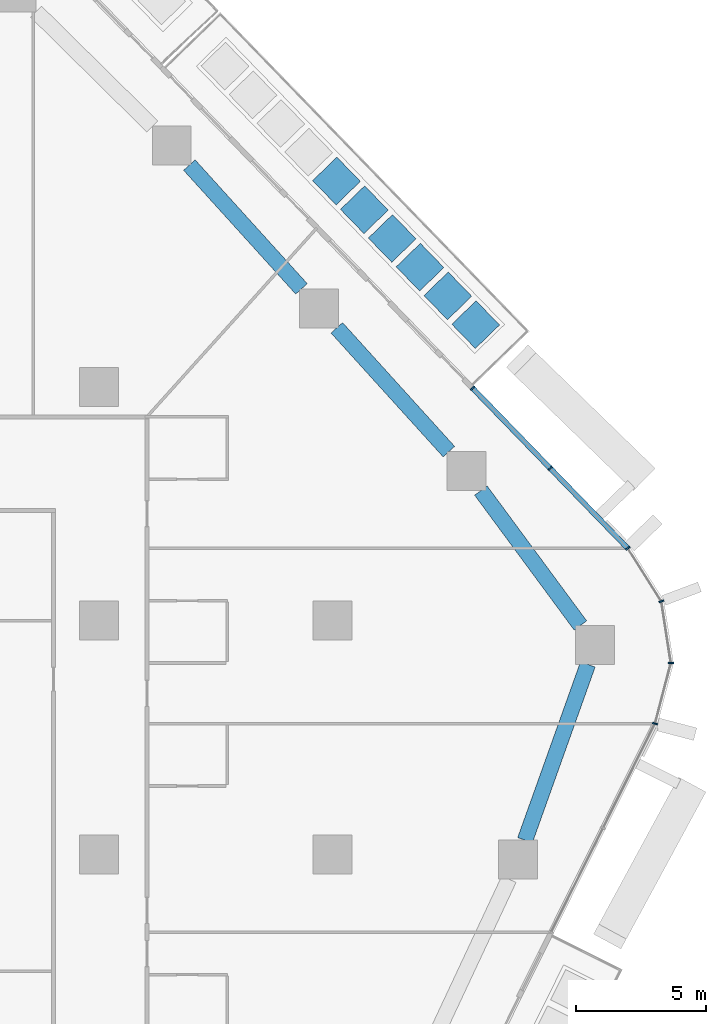
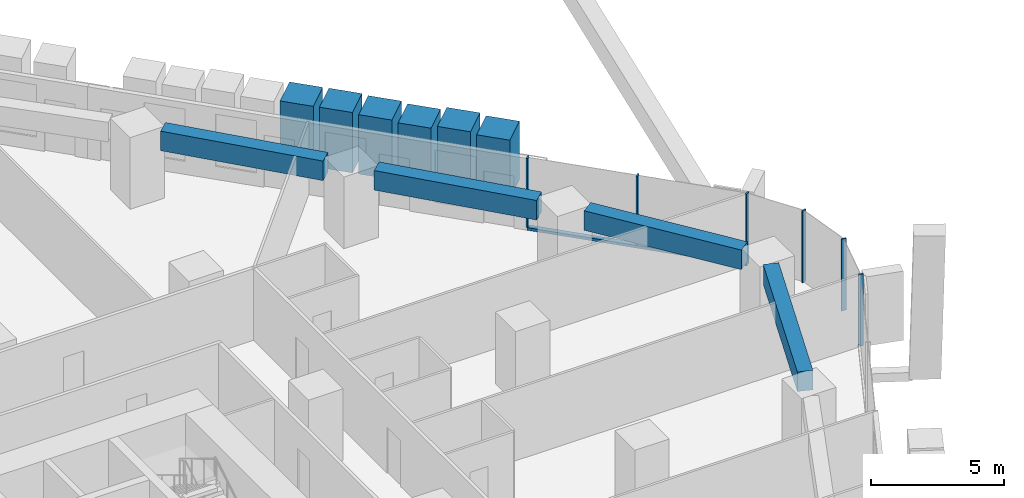
# One storey, part 8 of 27: 13 members, 4 beams, 2 elements without a shape of their own.
"""IFC4 building model written with IfcOpenShell, lengths in metres."""

from ifc_helpers import new_model, si_unit, direction, frame, origin, origin_2d, place, context, subcontext, project, spatial, rectangle, extrude, material, layer, layer_set, material_profile, profile_set, type_object, element, aggregate, save


model = new_model("IFC4")

# Units and contexts
model_context = context("Model", 3, precision=1e-05, world=origin(), true_north=direction((0.0, 1.0)))
body_context = subcontext(model_context, "Body", "Model", "MODEL_VIEW")
ifc_project = project(units=[si_unit("LENGTHUNIT", "METRE"), si_unit("AREAUNIT", "SQUARE_METRE"), si_unit("VOLUMEUNIT", "CUBIC_METRE"), si_unit("PLANEANGLEUNIT", "RADIAN"), si_unit("MASSUNIT", "GRAM", prefix="KILO")], contexts=[model_context])

# Site, building, storey
site_placement = place(None, origin())
site = spatial("IfcSite", under=ifc_project, at=site_placement, CompositionType="ELEMENT")
building_placement = place(site_placement, origin())
building = spatial("IfcBuilding", under=site, at=building_placement, Name="Dongbaek Canopy Tower", CompositionType="ELEMENT")
storey_placement = place(building_placement, frame((0.0, 0.0, 62.5)))
storey = spatial("IfcBuildingStorey", under=building, at=storey_placement, Name="L11", CompositionType="ELEMENT", Elevation=62.5)

# Curtain wall, members
ifc_material_1 = material(Name="Aluminium 6063-T6 pale anodised", Category="aluminium")
ifc_layer = layer(ifc_material_1, 0.199951171875)
ifc_layer_set = layer_set([ifc_layer], Name="CW-1 unitised tower curtain wall")
curtain_wall_type = type_object("IfcCurtainWallType", Name="CW-1 unitised tower curtain wall", PredefinedType="NOTDEFINED", material=ifc_layer_set)
curtain_wall_1_placement = place(storey_placement, origin())
curtain_wall_1 = element("IfcCurtainWall", 1, at=curtain_wall_1_placement, inside=storey, type_object=curtain_wall_type, Name="CW-1 curtain wall K0.1", PredefinedType="NOTDEFINED")
ifc_material_2 = material(Name="Aluminium 6063-T6 pale anodised", Category="aluminium")
ifc_material_profile_1 = material_profile(ifc_material_2, rectangle(XDim=0.199951171875, YDim=0.06005859375, at=origin_2d()), Name="CW-1 mullion 60 x 200")
ifc_profile_set_1 = profile_set([ifc_material_profile_1], Name="Aluminium 6063-T6 pale anodised")
member_type_1 = type_object("IfcMemberType", Name="CW-1 mullion 60 x 200", PredefinedType="MULLION", material=ifc_profile_set_1)
member_1_placement = place(storey_placement, frame((39.417724609375, 5.03466796875, 0.0), z_axis=(0.0, 0.0, 1.0), x_axis=(0.967250347585, -0.253824279961, 0.0)))
member_1 = element("IfcMember", 2, at=member_1_placement, type_object=member_type_1, Name="CW-1 mullion K0.1.1", PredefinedType="MULLION", context=body_context, shape_type="SweptSolid", body=[
    extrude(rectangle(XDim=0.199951171875, YDim=0.06005859375, at=origin_2d()), origin(), (0.0, 0.0, 1.0), 3.300048828125),
])
member_2_placement = place(storey_placement, frame((40.03076171875, 7.370849609375, 0.0), z_axis=(0.0, 0.0, 1.0), x_axis=(0.998682781596, -0.051309860105, 0.0)))
member_2 = element("IfcMember", 3, at=member_2_placement, type_object=member_type_1, Name="CW-1 mullion K0.1.2", PredefinedType="MULLION", context=body_context, shape_type="SweptSolid", body=[
    extrude(rectangle(XDim=0.199951171875, YDim=0.06005859375, at=origin_2d()), origin(), (0.0, 0.0, 1.0), 3.300048828125),
])
member_3_placement = place(storey_placement, frame((39.661865234375, 9.7470703125, 0.0), z_axis=(0.0, 0.0, 1.0), x_axis=(0.936154873842, 0.351587901074, 0.0)))
member_3 = element("IfcMember", 4, at=member_3_placement, type_object=member_type_1, Name="CW-1 mullion K0.1.3", PredefinedType="MULLION", context=body_context, shape_type="SweptSolid", body=[
    extrude(rectangle(XDim=0.199951171875, YDim=0.06005859375, at=origin_2d()), origin(), (0.0, 0.0, 1.0), 3.300048828125),
])
member_4_placement = place(storey_placement, frame((38.36962890625, 11.78759765625, 0.0), z_axis=(0.0, 0.0, 1.0), x_axis=(0.844820709713, 0.535049500926, 0.0)))
member_4 = element("IfcMember", 5, at=member_4_placement, type_object=member_type_1, Name="CW-1 mullion K0.1.4", PredefinedType="MULLION", context=body_context, shape_type="SweptSolid", body=[
    extrude(rectangle(XDim=0.199951171875, YDim=0.06005859375, at=origin_2d()), origin(), (0.0, 0.0, 1.0), 3.300048828125),
])
aggregate(curtain_wall_1, [member_1, member_2, member_3, member_4])

curtain_wall_2_placement = place(storey_placement, origin())
curtain_wall_2 = element("IfcCurtainWall", 6, at=curtain_wall_2_placement, inside=storey, type_object=curtain_wall_type, Name="CW-1 curtain wall F0.1", PredefinedType="NOTDEFINED")
member_5_placement = place(storey_placement, frame((35.3828125, 14.86865234375, 0.1201171875), z_axis=(0.0, 0.0, 1.0), x_axis=(0.718004001298, 0.69603897457, 0.0)))
member_5 = element("IfcMember", 7, at=member_5_placement, type_object=member_type_1, Name="CW-1 mullion F0.1.2", PredefinedType="MULLION", context=body_context, shape_type="SweptSolid", body=[
    extrude(rectangle(XDim=0.199951171875, YDim=0.06005859375, at=origin_2d()), origin(), (0.0, 0.0, 1.0), 3.179931640625),
])
member_6_placement = place(storey_placement, frame((32.388916015625, 17.95703125, 0.1201171875), z_axis=(0.0, 0.0, 1.0), x_axis=(0.718004001298, 0.69603897457, 0.0)))
member_6 = element("IfcMember", 8, at=member_6_placement, type_object=member_type_1, Name="CW-1 mullion F0.1.3", PredefinedType="MULLION", context=body_context, shape_type="SweptSolid", body=[
    extrude(rectangle(XDim=0.199951171875, YDim=0.06005859375, at=origin_2d()), origin(), (0.0, 0.0, 1.0), 3.179931640625),
])
ifc_material_3 = material(Name="Aluminium 6063-T6 pale anodised", Category="aluminium")
ifc_material_profile_2 = material_profile(ifc_material_3, rectangle(XDim=0.199951171875, YDim=0.1201171875, at=origin_2d()), Name="CW-1 transom 120 x 200")
ifc_profile_set_2 = profile_set([ifc_material_profile_2], Name="Aluminium 6063-T6 pale anodised")
member_type_2 = type_object("IfcMemberType", Name="CW-1 transom 120 x 200", PredefinedType="USERDEFINED", material=ifc_profile_set_2)
member_7_placement = place(storey_placement, frame((38.36962890625, 11.78759765625, 0.06005859375), z_axis=(-0.696039772903, 0.718003227386, 0.0), x_axis=(-0.718003227386, -0.696039772903, 0.0)))
member_7 = element("IfcMember", 9, at=member_7_placement, type_object=member_type_2, Name="CW-1 transom F0.1.1", ObjectType="TRANSOM", PredefinedType="USERDEFINED", context=body_context, shape_type="SweptSolid", body=[
    extrude(rectangle(XDim=0.199951171875, YDim=0.1201171875, at=origin_2d()), origin(), (0.0, 0.0, 1.0), 8.592529296875),
])
aggregate(curtain_wall_2, [member_5, member_6, member_7])

# Beams
ifc_material_4 = material(Name="Concrete C80", Category="concrete")
ifc_material_profile_3 = material_profile(ifc_material_4, rectangle(XDim=0.60009765625, YDim=0.89990234375, at=origin_2d()), Name="RC EDGE BEAM 600x900 C80")
ifc_profile_set_3 = profile_set([ifc_material_profile_3], Name="Concrete C80")
beam_type = type_object("IfcBeamType", Name="RC EDGE BEAM 600x900 C80", PredefinedType="BEAM", material=ifc_profile_set_3)
beam_1_placement = place(storey_placement, frame((21.484375, 26.547119140625, 2.85009765625), z_axis=(0.671288874095, -0.741195822652, 0.0), x_axis=(0.741195822652, 0.671288874095, 0.0)))
element("IfcBeam", 10, at=beam_1_placement, inside=storey, type_object=beam_type, Name="EDGEBEAM:L11:18", PredefinedType="BEAM", context=body_context, shape_type="SweptSolid", body=[
    extrude(rectangle(XDim=0.60009765625, YDim=0.89990234375, at=origin_2d()), origin(), (0.0, 0.0, 1.0), 6.432861328125),
])
beam_2_placement = place(storey_placement, frame((27.1611328125, 20.279052734375, 2.85009765625), z_axis=(0.671226318279, -0.741252473621, 0.0), x_axis=(0.741252473621, 0.671226318279, 0.0)))
element("IfcBeam", 11, at=beam_2_placement, inside=storey, type_object=beam_type, Name="EDGEBEAM:L11:19", PredefinedType="BEAM", context=body_context, shape_type="SweptSolid", body=[
    extrude(rectangle(XDim=0.60009765625, YDim=0.89990234375, at=origin_2d()), origin(), (0.0, 0.0, 1.0), 6.432373046875),
])
beam_3_placement = place(storey_placement, frame((32.71142578125, 14.010986328125, 2.85009765625), z_axis=(0.593731643304, -0.804663119411, 0.0), x_axis=(0.804663119411, 0.593731643304, 0.0)))
element("IfcBeam", 12, at=beam_3_placement, inside=storey, type_object=beam_type, Name="EDGEBEAM:L11:20", PredefinedType="BEAM", context=body_context, shape_type="SweptSolid", body=[
    extrude(rectangle(XDim=0.60009765625, YDim=0.89990234375, at=origin_2d()), origin(), (0.0, 0.0, 1.0), 6.456298828125),
])
beam_4_placement = place(storey_placement, frame((36.830078125, 7.31591796875, 2.85009765625), z_axis=(-0.336456848831, -0.941698884397, 0.0), x_axis=(0.941698884397, -0.336456848831, 0.0)))
element("IfcBeam", 13, at=beam_4_placement, inside=storey, type_object=beam_type, Name="EDGEBEAM:L11:21", PredefinedType="BEAM", context=body_context, shape_type="SweptSolid", body=[
    extrude(rectangle(XDim=0.60009765625, YDim=0.89990234375, at=origin_2d()), origin(), (0.0, 0.0, 1.0), 7.190185546875),
])

# Members
ifc_material_5 = material(Name="Concrete C40/50 planter mass with planting", Category="concrete")
ifc_material_profile_4 = material_profile(ifc_material_5, rectangle(XDim=1.300048828125, YDim=1.300048828125, at=origin_2d()), Name="Terrace PLANTER shrub mass 1300 x 1300")
ifc_profile_set_4 = profile_set([ifc_material_profile_4], Name="Concrete C40/50 planter mass with planting")
member_type_3 = type_object("IfcMemberType", Name="Terrace PLANTER shrub mass 1300 x 1300", PredefinedType="USERDEFINED", material=ifc_profile_set_4)
member_8_placement = place(storey_placement, frame((32.511474609375, 20.402099609375, 0.419921875), z_axis=(0.0, 0.0, 1.0), x_axis=(0.718004001298, 0.69603897457, 0.0)))
element("IfcMember", 14, at=member_8_placement, inside=storey, type_object=member_type_3, Name="Planter shrubs L11 1.1", ObjectType="PLANTER", PredefinedType="USERDEFINED", context=body_context, shape_type="SweptSolid", body=[
    extrude(rectangle(XDim=1.300048828125, YDim=1.300048828125, at=origin_2d()), origin(), (0.0, 0.0, 1.0), 2.690185546875),
])
member_9_placement = place(storey_placement, frame((31.439208984375, 21.50830078125, 0.419921875), z_axis=(0.0, 0.0, 1.0), x_axis=(0.718004001298, 0.69603897457, 0.0)))
element("IfcMember", 15, at=member_9_placement, inside=storey, type_object=member_type_3, Name="Planter shrubs L11 1.2", ObjectType="PLANTER", PredefinedType="USERDEFINED", context=body_context, shape_type="SweptSolid", body=[
    extrude(rectangle(XDim=1.300048828125, YDim=1.300048828125, at=origin_2d()), origin(), (0.0, 0.0, 1.0), 2.780029296875),
])
member_10_placement = place(storey_placement, frame((30.366943359375, 22.614501953125, 0.419921875), z_axis=(0.0, 0.0, 1.0), x_axis=(0.718004001298, 0.69603897457, 0.0)))
element("IfcMember", 16, at=member_10_placement, inside=storey, type_object=member_type_3, Name="Planter shrubs L11 1.3", ObjectType="PLANTER", PredefinedType="USERDEFINED", context=body_context, shape_type="SweptSolid", body=[
    extrude(rectangle(XDim=1.300048828125, YDim=1.300048828125, at=origin_2d()), origin(), (0.0, 0.0, 1.0), 2.650146484375),
])
member_11_placement = place(storey_placement, frame((29.294677734375, 23.720703125, 0.419921875), z_axis=(0.0, 0.0, 1.0), x_axis=(0.718004001298, 0.69603897457, 0.0)))
element("IfcMember", 17, at=member_11_placement, inside=storey, type_object=member_type_3, Name="Planter shrubs L11 1.4", ObjectType="PLANTER", PredefinedType="USERDEFINED", context=body_context, shape_type="SweptSolid", body=[
    extrude(rectangle(XDim=1.300048828125, YDim=1.300048828125, at=origin_2d()), origin(), (0.0, 0.0, 1.0), 2.72998046875),
])
member_12_placement = place(storey_placement, frame((28.222412109375, 24.82666015625, 0.419921875), z_axis=(0.0, 0.0, 1.0), x_axis=(0.718004001298, 0.69603897457, 0.0)))
element("IfcMember", 18, at=member_12_placement, inside=storey, type_object=member_type_3, Name="Planter shrubs L11 1.5", ObjectType="PLANTER", PredefinedType="USERDEFINED", context=body_context, shape_type="SweptSolid", body=[
    extrude(rectangle(XDim=1.300048828125, YDim=1.300048828125, at=origin_2d()), origin(), (0.0, 0.0, 1.0), 2.780029296875),
])
member_13_placement = place(storey_placement, frame((27.150146484375, 25.932861328125, 0.419921875), z_axis=(0.0, 0.0, 1.0), x_axis=(0.718004001298, 0.69603897457, 0.0)))
element("IfcMember", 19, at=member_13_placement, inside=storey, type_object=member_type_3, Name="Planter shrubs L11 1.6", ObjectType="PLANTER", PredefinedType="USERDEFINED", context=body_context, shape_type="SweptSolid", body=[
    extrude(rectangle(XDim=1.300048828125, YDim=1.300048828125, at=origin_2d()), origin(), (0.0, 0.0, 1.0), 2.77001953125),
])

save(model, "model.ifc")
